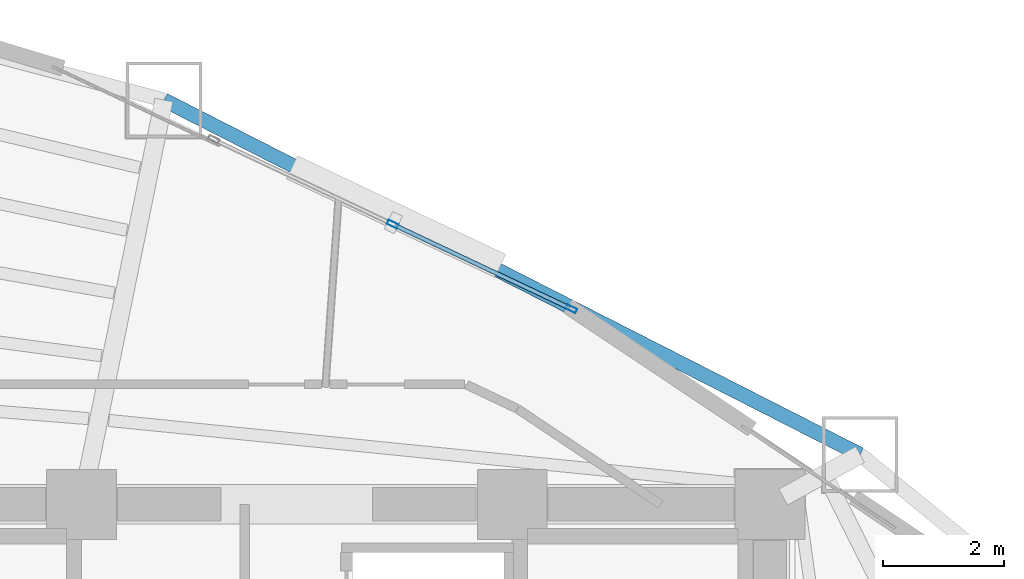
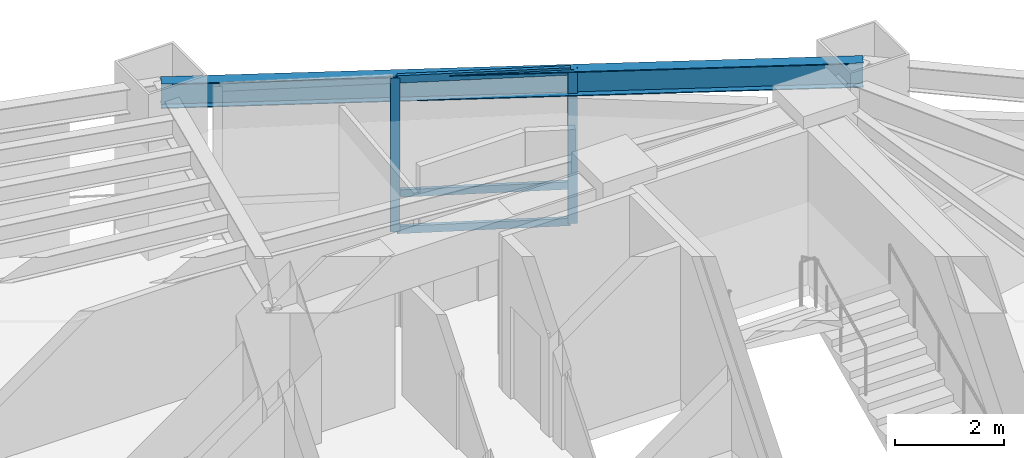
# One storey, part 14 of 25: 5 members, 1 beam, 1 element without a shape of its own.
"""IFC4 building model written with IfcOpenShell, lengths in metres."""

from ifc_helpers import new_model, si_unit, direction, frame, origin, origin_2d, place, context, subcontext, project, spatial, hollow_rectangle, i_section, extrude, material, layer, layer_set, material_profile, profile_set, type_object, element, aggregate, save


model = new_model("IFC4")

# Units and contexts
model_context = context("Model", 3, precision=1e-05, world=origin(), true_north=direction((0.0, 1.0)))
body_context = subcontext(model_context, "Body", "Model", "MODEL_VIEW")
ifc_project = project(units=[si_unit("LENGTHUNIT", "METRE"), si_unit("AREAUNIT", "SQUARE_METRE"), si_unit("VOLUMEUNIT", "CUBIC_METRE"), si_unit("PLANEANGLEUNIT", "RADIAN"), si_unit("MASSUNIT", "GRAM", prefix="KILO")], contexts=[model_context])

# Site, building, storey
site_placement = place(None, origin())
site = spatial("IfcSite", under=ifc_project, at=site_placement, CompositionType="ELEMENT")
building_placement = place(site_placement, origin())
building = spatial("IfcBuilding", under=site, at=building_placement, Name="Menara Vayukalpa", CompositionType="ELEMENT")
storey_placement = place(building_placement, frame((0.0, 0.0, 115.139892578125)))
storey = spatial("IfcBuildingStorey", under=building, at=storey_placement, Name="L28", CompositionType="ELEMENT", Elevation=115.139892578125)

# Beam
ifc_material_1 = material(Name="Steel S355", Category="steel")
ifc_material_profile_1 = material_profile(ifc_material_1, i_section(OverallWidth=0.239990234375, OverallDepth=0.550048828125, WebThickness=0.010986328125, FlangeThickness=0.01904296875, at=origin_2d()), Name="WF 550x240x11x19")
ifc_profile_set_1 = profile_set([ifc_material_profile_1], Name="Steel S355")
beam_type = type_object("IfcBeamType", Name="BM-SP2", PredefinedType="SPANDREL", material=ifc_profile_set_1)
beam_placement = place(storey_placement, frame((34.88671875, 27.62158203125, 3.1650390625), z_axis=(-0.891097345221, 0.453812209333, 0.0), x_axis=(-0.453812209333, -0.891097345221, 0.0)))
element("IfcBeam", 1, at=beam_placement, inside=storey, type_object=beam_type, Name="L28 Perimeter Spandrel Beam SP02", PredefinedType="SPANDREL", context=body_context, shape_type="SweptSolid", body=[
    extrude(i_section(OverallWidth=0.239990234375, OverallDepth=0.550048828125, WebThickness=0.010986328125, FlangeThickness=0.01904296875, at=origin_2d()), origin(), (0.0, 0.0, 1.0), 12.88134765625),
])

# Curtain wall, members
ifc_material_2 = material(Name="Anodised Terracotta Aluminium Alloy 6063-T6", Category="masonry")
ifc_layer = layer(ifc_material_2, 0.179931640625)
ifc_layer_set = layer_set([ifc_layer], Name="Anodised Terracotta Aluminium Alloy 6063-T6")
curtain_wall_type = type_object("IfcCurtainWallType", Name="CW-CW4", PredefinedType="USERDEFINED", material=ifc_layer_set)
curtain_wall_placement = place(storey_placement, origin())
curtain_wall = element("IfcCurtainWall", 2, at=curtain_wall_placement, inside=storey, type_object=curtain_wall_type, Name="L28 Sky Bar Cantilever Glazed Curtain Wall CW4 05", ObjectType="UNITISED", PredefinedType="USERDEFINED")
ifc_material_3 = material(Name="Anodised Terracotta Aluminium Alloy 6063-T6", Category="masonry")
ifc_material_profile_2 = material_profile(ifc_material_3, hollow_rectangle(XDim=0.074951171875, YDim=0.179931640625, WallThickness=0.00390625, at=origin_2d()), Name="ALU 75x180x4")
ifc_profile_set_2 = profile_set([ifc_material_profile_2], Name="Anodised Terracotta Aluminium Alloy 6063-T6")
member_type_1 = type_object("IfcMemberType", Name="CWM-CW4", PredefinedType="MULLION", material=ifc_profile_set_2)
member_1_placement = place(storey_placement, frame((30.127197265625, 30.023681640625, 0.0), z_axis=(0.0, 0.0, 1.0), x_axis=(-0.427870715016, -0.903839947796, 0.0)))
member_1 = element("IfcMember", 3, at=member_1_placement, type_object=member_type_1, Name="CW4 mullion 1", PredefinedType="MULLION", context=body_context, shape_type="SweptSolid", body=[
    extrude(hollow_rectangle(XDim=0.074951171875, YDim=0.179931640625, WallThickness=0.00390625, at=origin_2d()), origin(), (0.0, 0.0, 1.0), 3.440185546875),
])
member_2_placement = place(storey_placement, frame((27.178955078125, 31.41943359375, 0.0), z_axis=(0.0, 0.0, 1.0), x_axis=(-0.427870715016, -0.903839947796, 0.0)))
member_2 = element("IfcMember", 4, at=member_2_placement, type_object=member_type_1, Name="CW4 mullion 2", PredefinedType="MULLION", context=body_context, shape_type="SweptSolid", body=[
    extrude(hollow_rectangle(XDim=0.074951171875, YDim=0.179931640625, WallThickness=0.00390625, at=origin_2d()), origin(), (0.0, 0.0, 1.0), 3.440185546875),
])
ifc_material_4 = material(Name="Anodised Terracotta Aluminium Alloy 6063-T6", Category="masonry")
ifc_material_profile_3 = material_profile(ifc_material_4, hollow_rectangle(XDim=0.070068359375, YDim=0.1650390625, WallThickness=0.00390625, at=origin_2d()), Name="ALU 70x165x4")
ifc_profile_set_3 = profile_set([ifc_material_profile_3], Name="Anodised Terracotta Aluminium Alloy 6063-T6")
member_type_2 = type_object("IfcMemberType", Name="CWT-CW4", PredefinedType="USERDEFINED", material=ifc_profile_set_3)
member_3_placement = place(storey_placement, frame((30.093505859375, 30.039794921875, 0.03515625), z_axis=(-0.903856350553, 0.42783606389, 0.0), x_axis=(-0.42783606389, -0.903856350553, 0.0)))
member_3 = element("IfcMember", 5, at=member_3_placement, type_object=member_type_2, Name="CW4 transom 1.1", ObjectType="TRANSOM", PredefinedType="USERDEFINED", context=body_context, shape_type="SweptSolid", body=[
    extrude(hollow_rectangle(XDim=0.070068359375, YDim=0.1650390625, WallThickness=0.00390625, at=origin_2d()), origin(), (0.0, 0.0, 1.0), 3.18701171875),
])
member_4_placement = place(storey_placement, frame((30.093505859375, 30.039794921875, 0.85009765625), z_axis=(-0.903856350553, 0.42783606389, 0.0), x_axis=(-0.42783606389, -0.903856350553, 0.0)))
member_4 = element("IfcMember", 6, at=member_4_placement, type_object=member_type_2, Name="CW4 transom 1.2", ObjectType="TRANSOM", PredefinedType="USERDEFINED", context=body_context, shape_type="SweptSolid", body=[
    extrude(hollow_rectangle(XDim=0.070068359375, YDim=0.1650390625, WallThickness=0.00390625, at=origin_2d()), origin(), (0.0, 0.0, 1.0), 3.18701171875),
])
member_5_placement = place(storey_placement, frame((30.093505859375, 30.039794921875, 3.405029296875), z_axis=(-0.903856350553, 0.42783606389, 0.0), x_axis=(-0.42783606389, -0.903856350553, 0.0)))
member_5 = element("IfcMember", 7, at=member_5_placement, type_object=member_type_2, Name="CW4 transom 1.3", ObjectType="TRANSOM", PredefinedType="USERDEFINED", context=body_context, shape_type="SweptSolid", body=[
    extrude(hollow_rectangle(XDim=0.070068359375, YDim=0.1650390625, WallThickness=0.00390625, at=origin_2d()), origin(), (0.0, 0.0, 1.0), 3.18701171875),
])
aggregate(curtain_wall, [member_1, member_2, member_3, member_4, member_5])

save(model, "model.ifc")
